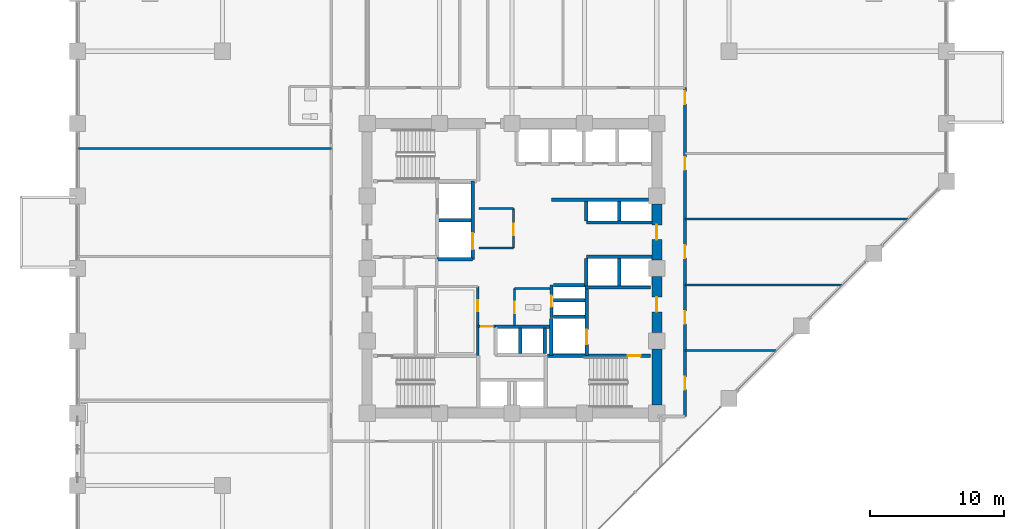
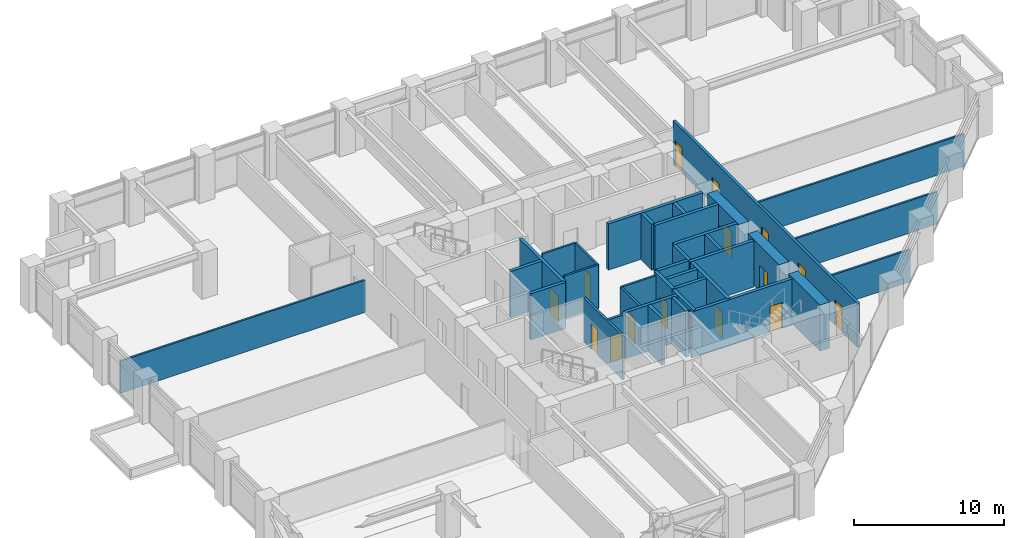
# One storey, part 21 of 26: 36 walls, 15 doors, 15 openings.
"""IFC4 building model written with IfcOpenShell, lengths in metres."""

from ifc_helpers import new_model, si_unit, direction, frame, frame_2d, origin, place, context, subcontext, project, spatial, rectangle, extrude, material, layer, layer_set, type_object, element, fill, save


model = new_model("IFC4")

# Units and contexts
model_context = context("Model", 3, precision=1e-05, world=origin(), true_north=direction((0.0, 1.0)))
body_context = subcontext(model_context, "Body", "Model", "MODEL_VIEW")
ifc_project = project(units=[si_unit("LENGTHUNIT", "METRE"), si_unit("AREAUNIT", "SQUARE_METRE"), si_unit("VOLUMEUNIT", "CUBIC_METRE"), si_unit("PLANEANGLEUNIT", "RADIAN"), si_unit("MASSUNIT", "GRAM", prefix="KILO")], contexts=[model_context])

# Site, building, storey
site_placement = place(None, origin())
site = spatial("IfcSite", under=ifc_project, at=site_placement, CompositionType="ELEMENT")
building_placement = place(site_placement, origin())
building = spatial("IfcBuilding", under=site, at=building_placement, Name="Surkhivell Harbour Commons", CompositionType="ELEMENT")
storey_placement = place(building_placement, frame((0.0, 0.0, 71.25)))
storey = spatial("IfcBuildingStorey", under=building, at=storey_placement, Name="L18", CompositionType="ELEMENT", Elevation=71.25)

# Wall
ifc_material_1 = material(Name="Concrete C60/75", Category="concrete")
ifc_layer_1 = layer(ifc_material_1, 0.75)
ifc_layer_set_1 = layer_set([ifc_layer_1], Name="Concrete C60/75")
wall_type_1 = type_object("IfcWallType", Name="WAL-CORE-750", PredefinedType="SHEAR", material=ifc_layer_set_1)
wall_1_placement = place(storey_placement, frame((10.800048828125, -10.18994140625, 0.0), z_axis=(0.0, 0.0, 1.0), x_axis=(0.0, 1.0, 0.0)))
element("IfcWall", 1, at=wall_1_placement, inside=storey, type_object=wall_type_1, Name="L18 Core Shear Wall East 1", PredefinedType="SHEAR", context=body_context, shape_type="SweptSolid", body=[
    extrude(rectangle(XDim=4.179931640625, YDim=0.75, at=frame_2d((2.08984375, 0.0))), origin(), (0.0, 0.0, 1.0), 3.75),
])

# Wall, opening, door
wall_2_placement = place(storey_placement, frame((10.800048828125, -4.7900390625, 0.0), z_axis=(0.0, 0.0, 1.0), x_axis=(0.0, 1.0, 0.0)))
wall_2 = element("IfcWall", 2, at=wall_2_placement, inside=storey, type_object=wall_type_1, Name="L18 Core Shear Wall East 2", PredefinedType="SHEAR", context=body_context, shape_type="SweptSolid", body=[
    extrude(rectangle(XDim=4.179931640625, YDim=0.75, at=frame_2d((2.08984375, 0.0))), origin(), (0.0, 0.0, 1.0), 3.75),
])
opening_1_placement = place(wall_2_placement, frame((1.5400390625, 0.0, 0.0)))
opening_1 = element("IfcOpeningElement", 3, at=opening_1_placement, cuts=wall_2, Name="Opening ID-1", PredefinedType="OPENING", context=body_context, shape_type="SweptSolid", body=[
    extrude(rectangle(XDim=1.10009765625, YDim=2.10009765625, at=frame_2d((0.550048828125, 1.050048828125))), frame((0.0, 0.385009765625, 0.0), z_axis=(0.0, -1.0, 0.0), x_axis=(1.0, 0.0, 0.0)), (0.0, 0.0, 1.0), 0.77001953125),
])
ifc_material_2 = material(Name="Hardwood-veneered fire-rated door leaf", Category="wood")
door_type_1 = type_object("IfcDoorType", Name="DOR-FD120-1100", OperationType="NOTDEFINED", PredefinedType="DOOR", material=ifc_material_2)
door_1_placement = place(opening_1_placement, origin())
door_1 = element("IfcDoor", 4, at=door_1_placement, inside=storey, type_object=door_type_1, Name="L18 Firefighting Lobby 2 Corridor Door", OperationType="SINGLE_SWING_RIGHT", OverallHeight=2.10009765625, OverallWidth=1.10009765625, PredefinedType="DOOR", context=body_context, shape_type="SweptSolid", body=[
    extrude(rectangle(XDim=1.10009765625, YDim=2.10009765625, at=frame_2d((0.550048828125, 1.050048828125))), frame((0.0, 0.02490234375, 0.0), z_axis=(0.0, -1.0, 0.0), x_axis=(1.0, 0.0, 0.0)), (0.0, 0.0, 1.0), 0.050048828125),
])
fill(opening_1, door_1)

wall_3_placement = place(storey_placement, frame((10.800048828125, 0.610107421875, 0.0), z_axis=(0.0, 0.0, 1.0), x_axis=(0.0, 1.0, 0.0)))
wall_3 = element("IfcWall", 5, at=wall_3_placement, inside=storey, type_object=wall_type_1, Name="L18 Core Shear Wall East 3", PredefinedType="SHEAR", context=body_context, shape_type="SweptSolid", body=[
    extrude(rectangle(XDim=4.179931640625, YDim=0.75, at=frame_2d((2.08984375, 0.0))), origin(), (0.0, 0.0, 1.0), 3.75),
])
opening_2_placement = place(wall_3_placement, frame((1.5400390625, 0.0, 0.0)))
opening_2 = element("IfcOpeningElement", 6, at=opening_2_placement, cuts=wall_3, Name="Opening ID-2", PredefinedType="OPENING", context=body_context, shape_type="SweptSolid", body=[
    extrude(rectangle(XDim=1.10009765625, YDim=2.10009765625, at=frame_2d((0.550048828125, 1.050048828125))), frame((0.0, 0.385009765625, 0.0), z_axis=(0.0, -1.0, 0.0), x_axis=(1.0, 0.0, 0.0)), (0.0, 0.0, 1.0), 0.77001953125),
])
door_type_2 = type_object("IfcDoorType", Name="DOR-FD60-1100", OperationType="NOTDEFINED", PredefinedType="DOOR", material=ifc_material_2)
door_2_placement = place(opening_2_placement, origin())
door_2 = element("IfcDoor", 7, at=door_2_placement, inside=storey, type_object=door_type_2, Name="L18 Mid-Rise Lobby East Door", OperationType="SINGLE_SWING_LEFT", OverallHeight=2.10009765625, OverallWidth=1.10009765625, PredefinedType="DOOR", context=body_context, shape_type="SweptSolid", body=[
    extrude(rectangle(XDim=1.10009765625, YDim=2.10009765625, at=frame_2d((0.550048828125, 1.050048828125))), frame((0.0, 0.02490234375, 0.0), z_axis=(0.0, -1.0, 0.0), x_axis=(1.0, 0.0, 0.0)), (0.0, 0.0, 1.0), 0.050048828125),
])
fill(opening_2, door_2)

# Wall
ifc_material_3 = material(Name="Twin-stud acoustic fireboard partition", Category="other")
ifc_layer_2 = layer(ifc_material_3, 0.14990234375)
ifc_layer_set_2 = layer_set([ifc_layer_2], Name="Twin-stud acoustic fireboard partition")
wall_type_2 = type_object("IfcWallType", Name="WAL-INT-150", PredefinedType="PARTITIONING", material=ifc_layer_set_2)
wall_4_placement = place(storey_placement, frame((0.179931640625, -1.47998046875, 0.0), z_axis=(0.0, 0.0, 1.0), x_axis=(1.0, 0.0, 0.0)))
element("IfcWall", 8, at=wall_4_placement, inside=storey, type_object=wall_type_2, Name="L18 Core Accessible WC North Wall", PredefinedType="PARTITIONING", context=body_context, shape_type="SweptSolid", body=[
    extrude(rectangle(XDim=2.670166015625, YDim=0.14990234375, at=frame_2d((1.3349609375, 0.0))), origin(), (0.0, 0.0, 1.0), 3.570068359375),
])

# Wall, opening, door
wall_5_placement = place(storey_placement, frame((0.179931640625, -4.25, 0.0), z_axis=(0.0, 0.0, 1.0), x_axis=(0.0, 1.0, 0.0)))
wall_5 = element("IfcWall", 9, at=wall_5_placement, inside=storey, type_object=wall_type_2, Name="L18 Core Accessible WC West Wall", PredefinedType="PARTITIONING", context=body_context, shape_type="SweptSolid", body=[
    extrude(rectangle(XDim=2.77001953125, YDim=0.14990234375, at=frame_2d((1.385009765625, 0.0))), origin(), (0.0, 0.0, 1.0), 3.570068359375),
])
opening_3_placement = place(wall_5_placement, frame((0.89990234375, 0.0, 0.0)))
opening_3 = element("IfcOpeningElement", 10, at=opening_3_placement, cuts=wall_5, Name="Opening ID-6", PredefinedType="OPENING", context=body_context, shape_type="SweptSolid", body=[
    extrude(rectangle(XDim=0.85009765625, YDim=2.10009765625, at=frame_2d((0.425048828125, 1.050048828125))), frame((0.0, 0.0849609375, 0.0), z_axis=(0.0, -1.0, 0.0), x_axis=(1.0, 0.0, 0.0)), (0.0, 0.0, 1.0), 0.169921875),
])
door_type_3 = type_object("IfcDoorType", Name="DOR-FD30-850", OperationType="NOTDEFINED", PredefinedType="DOOR", material=ifc_material_2)
door_3_placement = place(opening_3_placement, origin())
door_3 = element("IfcDoor", 11, at=door_3_placement, inside=storey, type_object=door_type_3, Name="L18 Floor Accessible WC Door", OperationType="SINGLE_SWING_LEFT", OverallHeight=2.10009765625, OverallWidth=0.85009765625, PredefinedType="DOOR", context=body_context, shape_type="SweptSolid", body=[
    extrude(rectangle(XDim=0.85009765625, YDim=2.10009765625, at=frame_2d((0.425048828125, 1.050048828125))), frame((0.0, 0.02490234375, 0.0), z_axis=(0.0, -1.0, 0.0), x_axis=(1.0, 0.0, 0.0)), (0.0, 0.0, 1.0), 0.050048828125),
])
fill(opening_3, door_3)

wall_6_placement = place(storey_placement, frame((0.1201171875, 1.52001953125, 0.0), z_axis=(0.0, 0.0, 1.0), x_axis=(0.0, 1.0, 0.0)))
wall_6 = element("IfcWall", 12, at=wall_6_placement, inside=storey, type_object=wall_type_2, Name="L18 Central Reading East Wall", PredefinedType="PARTITIONING", context=body_context, shape_type="SweptSolid", body=[
    extrude(rectangle(XDim=2.9599609375, YDim=0.14990234375, at=frame_2d((1.47998046875, 0.0))), origin(), (0.0, 0.0, 1.0), 3.570068359375),
])
opening_4_placement = place(wall_6_placement, frame((0.949951171875, 0.0, 0.0)))
opening_4 = element("IfcOpeningElement", 13, at=opening_4_placement, cuts=wall_6, Name="Opening ID-6", PredefinedType="OPENING", context=body_context, shape_type="SweptSolid", body=[
    extrude(rectangle(XDim=0.85009765625, YDim=2.10009765625, at=frame_2d((0.425048828125, 1.050048828125))), frame((0.0, 0.0849609375, 0.0), z_axis=(0.0, -1.0, 0.0), x_axis=(1.0, 0.0, 0.0)), (0.0, 0.0, 1.0), 0.169921875),
])
door_4_placement = place(opening_4_placement, origin())
door_4 = element("IfcDoor", 14, at=door_4_placement, inside=storey, type_object=door_type_3, Name="L18 Central Core Reading Door", OperationType="SINGLE_SWING_RIGHT", OverallHeight=2.10009765625, OverallWidth=0.85009765625, PredefinedType="DOOR", context=body_context, shape_type="SweptSolid", body=[
    extrude(rectangle(XDim=0.85009765625, YDim=2.10009765625, at=frame_2d((0.425048828125, 1.050048828125))), frame((0.0, 0.02490234375, 0.0), z_axis=(0.0, -1.0, 0.0), x_axis=(1.0, 0.0, 0.0)), (0.0, 0.0, 1.0), 0.050048828125),
])
fill(opening_4, door_4)

# Walls
for number, where, z_axis, x_axis, name in (
    (15, (-2.47998046875, 4.47998046875, 0.0), (0.0, 0.0, 1.0), (1.0, 0.0, 0.0), "L18 Central Reading North Wall"),
    (16, (-2.47998046875, 1.52001953125, 0.0), (0.0, 0.0, 1.0), (1.0, 0.0, 0.0), "L18 Central Reading South Wall"),
):
    element("IfcWall", number, at=place(storey_placement, frame(where, z_axis=z_axis, x_axis=x_axis)), inside=storey, type_object=wall_type_2, Name=name, PredefinedType="PARTITIONING", context=body_context, shape_type="SweptSolid", body=[
        extrude(rectangle(XDim=2.60009765625, YDim=0.14990234375, at=frame_2d((1.300048828125, 0.0))), origin(), (0.0, 0.0, 1.0), 3.570068359375),
    ])
wall_7_placement = place(storey_placement, frame((12.89990234375, -6.139892578125, 0.0), z_axis=(0.0, 0.0, 1.0), x_axis=(1.0, 0.0, 0.0)))
element("IfcWall", 17, at=wall_7_placement, inside=storey, type_object=wall_type_2, Name="L18 East Partition P1", PredefinedType="PARTITIONING", context=body_context, shape_type="SweptSolid", body=[
    extrude(rectangle(XDim=6.775146484375, YDim=0.14990234375, at=frame_2d((3.3876953125, 0.0))), origin(), (0.0, 0.0, 1.0), 2.623046875),
])
wall_8_placement = place(storey_placement, frame((12.89990234375, -1.22998046875, 0.0), z_axis=(0.0, 0.0, 1.0), x_axis=(1.0, 0.0, 0.0)))
element("IfcWall", 18, at=wall_8_placement, inside=storey, type_object=wall_type_2, Name="L18 East Partition P2", PredefinedType="PARTITIONING", context=body_context, shape_type="SweptSolid", body=[
    extrude(rectangle(XDim=11.685302734375, YDim=0.14990234375, at=frame_2d((5.8427734375, 0.0))), origin(), (0.0, 0.0, 1.0), 2.623046875),
])
wall_9_placement = place(storey_placement, frame((12.89990234375, 3.669921875, 0.0), z_axis=(0.0, 0.0, 1.0), x_axis=(1.0, 0.0, 0.0)))
element("IfcWall", 19, at=wall_9_placement, inside=storey, type_object=wall_type_2, Name="L18 East Partition P3", PredefinedType="PARTITIONING", context=body_context, shape_type="SweptSolid", body=[
    extrude(rectangle(XDim=16.585205078125, YDim=0.14990234375, at=frame_2d((8.29248046875, 0.0))), origin(), (0.0, 0.0, 1.0), 2.623046875),
])
wall_10_placement = place(storey_placement, frame((-32.340087890625, 8.929931640625, 0.0), z_axis=(0.0, 0.0, 1.0), x_axis=(1.0, 0.0, 0.0)))
element("IfcWall", 20, at=wall_10_placement, inside=storey, type_object=wall_type_2, Name="L18 West Partition PTOP", PredefinedType="PARTITIONING", context=body_context, shape_type="SweptSolid", body=[
    extrude(rectangle(XDim=18.860107421875, YDim=0.14990234375, at=frame_2d((9.43017578125, 0.0))), origin(), (0.0, 0.0, 1.0), 2.623046875),
])

# Wall, opening, door
ifc_material_4 = material(Name="High-density acoustic blockwork fire partition", Category="masonry")
ifc_layer_3 = layer(ifc_material_4, 0.175048828125)
ifc_layer_set_3 = layer_set([ifc_layer_3], Name="High-density acoustic blockwork fire partition")
wall_type_3 = type_object("IfcWallType", Name="WAL-INT-175", PredefinedType="PARTITIONING", material=ifc_layer_set_3)
wall_11_placement = place(storey_placement, frame((-2.550048828125, -6.510009765625, 0.0), z_axis=(0.0, 0.0, 1.0), x_axis=(0.0, 1.0, 0.0)))
wall_11 = element("IfcWall", 21, at=wall_11_placement, inside=storey, type_object=wall_type_3, Name="L18 Core Service Bay East Wall", PredefinedType="PARTITIONING", context=body_context, shape_type="SweptSolid", body=[
    extrude(rectangle(XDim=5.159912109375, YDim=0.175048828125, at=frame_2d((2.580078125, 0.0))), origin(), (0.0, 0.0, 1.0), 3.570068359375),
])
opening_5_placement = place(wall_11_placement, frame((3.300048828125, 0.0, 0.0)))
opening_5 = element("IfcOpeningElement", 22, at=opening_5_placement, cuts=wall_11, Name="Opening ID-6", PredefinedType="OPENING", context=body_context, shape_type="SweptSolid", body=[
    extrude(rectangle(XDim=0.85009765625, YDim=2.10009765625, at=frame_2d((0.425048828125, 1.050048828125))), frame((0.0, 0.097412109375, 0.0), z_axis=(0.0, -1.0, 0.0), x_axis=(1.0, 0.0, 0.0)), (0.0, 0.0, 1.0), 0.195068359375),
])
door_5_placement = place(opening_5_placement, origin())
door_5 = element("IfcDoor", 23, at=door_5_placement, inside=storey, type_object=door_type_3, Name="L18 Core Music Door", OperationType="SINGLE_SWING_LEFT", OverallHeight=2.10009765625, OverallWidth=0.85009765625, PredefinedType="DOOR", context=body_context, shape_type="SweptSolid", body=[
    extrude(rectangle(XDim=0.85009765625, YDim=2.10009765625, at=frame_2d((0.425048828125, 1.050048828125))), frame((0.0, 0.02490234375, 0.0), z_axis=(0.0, -1.0, 0.0), x_axis=(1.0, 0.0, 0.0)), (0.0, 0.0, 1.0), 0.050048828125),
])
fill(opening_5, door_5)

wall_12_placement = place(storey_placement, frame((-2.52001953125, -4.320068359375, 0.0), z_axis=(0.0, 0.0, 1.0), x_axis=(1.0, 0.0, 0.0)))
wall_12 = element("IfcWall", 24, at=wall_12_placement, inside=storey, type_object=wall_type_3, Name="L18 High-Rise Lobby North Portal Wall", PredefinedType="PARTITIONING", context=body_context, shape_type="SweptSolid", body=[
    extrude(rectangle(XDim=1.300048828125, YDim=0.175048828125, at=frame_2d((0.64990234375, 0.0))), origin(), (0.0, 0.0, 1.0), 3.570068359375),
])
opening_6_placement = place(wall_12_placement, frame((0.219970703125, 0.0, 0.0)))
opening_6 = element("IfcOpeningElement", 25, at=opening_6_placement, cuts=wall_12, Name="Opening ID-6", PredefinedType="OPENING", context=body_context, shape_type="SweptSolid", body=[
    extrude(rectangle(XDim=0.85009765625, YDim=2.10009765625, at=frame_2d((0.425048828125, 1.050048828125))), frame((0.0, 0.097412109375, 0.0), z_axis=(0.0, -1.0, 0.0), x_axis=(1.0, 0.0, 0.0)), (0.0, 0.0, 1.0), 0.195068359375),
])
door_6_placement = place(opening_6_placement, origin())
door_6 = element("IfcDoor", 26, at=door_6_placement, inside=storey, type_object=door_type_3, Name="L18 High-Rise Lift Lobby North Door", OperationType="SINGLE_SWING_LEFT", OverallHeight=2.10009765625, OverallWidth=0.85009765625, PredefinedType="DOOR", context=body_context, shape_type="SweptSolid", body=[
    extrude(rectangle(XDim=0.85009765625, YDim=2.10009765625, at=frame_2d((0.425048828125, 1.050048828125))), frame((0.0, 0.02490234375, 0.0), z_axis=(0.0, -1.0, 0.0), x_axis=(1.0, 0.0, 0.0)), (0.0, 0.0, 1.0), 0.050048828125),
])
fill(opening_6, door_6)

# Wall, openings, doors
ifc_material_5 = material(Name="Autoclaved aerated concrete blockwork and fire plaster", Category="masonry")
ifc_layer_4 = layer(ifc_material_5, 0.199951171875)
ifc_layer_set_4 = layer_set([ifc_layer_4], Name="Autoclaved aerated concrete blockwork and fire plaster")
wall_type_4 = type_object("IfcWallType", Name="WAL-INT-200", PredefinedType="PARTITIONING", material=ifc_layer_set_4)
wall_13_placement = place(storey_placement, frame((12.89990234375, -11.0400390625, 0.0), z_axis=(0.0, 0.0, 1.0), x_axis=(0.0, 1.0, 0.0)))
wall_13 = element("IfcWall", 27, at=wall_13_placement, inside=storey, type_object=wall_type_4, Name="L18 Corridor East Wall", PredefinedType="PARTITIONING", context=body_context, shape_type="SweptSolid", body=[
    extrude(rectangle(XDim=24.52001953125, YDim=0.199951171875, at=frame_2d((12.260009765625, 0.0))), origin(), (0.0, 0.0, 1.0), 3.570068359375),
])
opening_7_placement = place(wall_13_placement, frame((2.0, 0.0, 0.0)))
opening_7 = element("IfcOpeningElement", 28, at=opening_7_placement, cuts=wall_13, Name="Opening ID-4", PredefinedType="OPENING", context=body_context, shape_type="SweptSolid", body=[
    extrude(rectangle(XDim=0.949951171875, YDim=2.10009765625, at=frame_2d((0.47509765625, 1.050048828125))), frame((0.0, 0.10986328125, 0.0), z_axis=(0.0, -1.0, 0.0), x_axis=(1.0, 0.0, 0.0)), (0.0, 0.0, 1.0), 0.219970703125),
])
opening_8_placement = place(wall_13_placement, frame((6.905029296875, 0.0, 0.0)))
opening_8 = element("IfcOpeningElement", 29, at=opening_8_placement, cuts=wall_13, Name="Opening ID-4", PredefinedType="OPENING", context=body_context, shape_type="SweptSolid", body=[
    extrude(rectangle(XDim=0.949951171875, YDim=2.10009765625, at=frame_2d((0.47509765625, 1.050048828125))), frame((0.0, 0.10986328125, 0.0), z_axis=(0.0, -1.0, 0.0), x_axis=(1.0, 0.0, 0.0)), (0.0, 0.0, 1.0), 0.219970703125),
])
opening_9_placement = place(wall_13_placement, frame((11.81005859375, 0.0, 0.0)))
opening_9 = element("IfcOpeningElement", 30, at=opening_9_placement, cuts=wall_13, Name="Opening ID-4", PredefinedType="OPENING", context=body_context, shape_type="SweptSolid", body=[
    extrude(rectangle(XDim=0.949951171875, YDim=2.10009765625, at=frame_2d((0.47509765625, 1.050048828125))), frame((0.0, 0.10986328125, 0.0), z_axis=(0.0, -1.0, 0.0), x_axis=(1.0, 0.0, 0.0)), (0.0, 0.0, 1.0), 0.219970703125),
])
opening_10_placement = place(wall_13_placement, frame((18.389892578125, 0.0, 0.0)))
opening_10 = element("IfcOpeningElement", 31, at=opening_10_placement, cuts=wall_13, Name="Opening ID-4", PredefinedType="OPENING", context=body_context, shape_type="SweptSolid", body=[
    extrude(rectangle(XDim=0.949951171875, YDim=2.10009765625, at=frame_2d((0.47509765625, 1.050048828125))), frame((0.0, 0.10986328125, 0.0), z_axis=(0.0, -1.0, 0.0), x_axis=(1.0, 0.0, 0.0)), (0.0, 0.0, 1.0), 0.219970703125),
])
opening_11_placement = place(wall_13_placement, frame((23.2900390625, 0.0, 0.0)))
opening_11 = element("IfcOpeningElement", 32, at=opening_11_placement, cuts=wall_13, Name="Opening ID-4", PredefinedType="OPENING", context=body_context, shape_type="SweptSolid", body=[
    extrude(rectangle(XDim=0.949951171875, YDim=2.10009765625, at=frame_2d((0.47509765625, 1.050048828125))), frame((0.0, 0.10986328125, 0.0), z_axis=(0.0, -1.0, 0.0), x_axis=(1.0, 0.0, 0.0)), (0.0, 0.0, 1.0), 0.219970703125),
])
door_type_4 = type_object("IfcDoorType", Name="DOR-FD60-950", OperationType="NOTDEFINED", PredefinedType="DOOR", material=ifc_material_2)
door_7_placement = place(opening_7_placement, origin())
door_7 = element("IfcDoor", 33, at=door_7_placement, inside=storey, type_object=door_type_4, Name="L18 Co-Working Study Office Pod 1 East Door", OperationType="SINGLE_SWING_RIGHT", OverallHeight=2.10009765625, OverallWidth=0.949951171875, PredefinedType="DOOR", context=body_context, shape_type="SweptSolid", body=[
    extrude(rectangle(XDim=0.949951171875, YDim=2.10009765625, at=frame_2d((0.47509765625, 1.050048828125))), frame((0.0, 0.02490234375, 0.0), z_axis=(0.0, -1.0, 0.0), x_axis=(1.0, 0.0, 0.0)), (0.0, 0.0, 1.0), 0.050048828125),
])
fill(opening_7, door_7)
door_8_placement = place(opening_8_placement, origin())
door_8 = element("IfcDoor", 34, at=door_8_placement, inside=storey, type_object=door_type_4, Name="L18 Academic Seminar Pod 2 East Door", OperationType="SINGLE_SWING_LEFT", OverallHeight=2.10009765625, OverallWidth=0.949951171875, PredefinedType="DOOR", context=body_context, shape_type="SweptSolid", body=[
    extrude(rectangle(XDim=0.949951171875, YDim=2.10009765625, at=frame_2d((0.47509765625, 1.050048828125))), frame((0.0, 0.02490234375, 0.0), z_axis=(0.0, -1.0, 0.0), x_axis=(1.0, 0.0, 0.0)), (0.0, 0.0, 1.0), 0.050048828125),
])
fill(opening_8, door_8)
door_9_placement = place(opening_9_placement, origin())
door_9 = element("IfcDoor", 35, at=door_9_placement, inside=storey, type_object=door_type_4, Name="L18 Harbour Espresso Cafe Shop 3 East Door", OperationType="SINGLE_SWING_RIGHT", OverallHeight=2.10009765625, OverallWidth=0.949951171875, PredefinedType="DOOR", context=body_context, shape_type="SweptSolid", body=[
    extrude(rectangle(XDim=0.949951171875, YDim=2.10009765625, at=frame_2d((0.47509765625, 1.050048828125))), frame((0.0, 0.02490234375, 0.0), z_axis=(0.0, -1.0, 0.0), x_axis=(1.0, 0.0, 0.0)), (0.0, 0.0, 1.0), 0.050048828125),
])
fill(opening_9, door_9)
door_10_placement = place(opening_10_placement, origin())
door_10 = element("IfcDoor", 36, at=door_10_placement, inside=storey, type_object=door_type_4, Name="L18 Zone Concierge Reception Foyer 4 East Door", OperationType="SINGLE_SWING_LEFT", OverallHeight=2.10009765625, OverallWidth=0.949951171875, PredefinedType="DOOR", context=body_context, shape_type="SweptSolid", body=[
    extrude(rectangle(XDim=0.949951171875, YDim=2.10009765625, at=frame_2d((0.47509765625, 1.050048828125))), frame((0.0, 0.02490234375, 0.0), z_axis=(0.0, -1.0, 0.0), x_axis=(1.0, 0.0, 0.0)), (0.0, 0.0, 1.0), 0.050048828125),
])
fill(opening_10, door_10)
door_11_placement = place(opening_11_placement, origin())
door_11 = element("IfcDoor", 37, at=door_11_placement, inside=storey, type_object=door_type_4, Name="L18 Shared Communal Kitchen 5 East Door", OperationType="SINGLE_SWING_RIGHT", OverallHeight=2.10009765625, OverallWidth=0.949951171875, PredefinedType="DOOR", context=body_context, shape_type="SweptSolid", body=[
    extrude(rectangle(XDim=0.949951171875, YDim=2.10009765625, at=frame_2d((0.47509765625, 1.050048828125))), frame((0.0, 0.02490234375, 0.0), z_axis=(0.0, -1.0, 0.0), x_axis=(1.0, 0.0, 0.0)), (0.0, 0.0, 1.0), 0.050048828125),
])
fill(opening_11, door_11)

# Walls
ifc_material_6 = material(Name="Concrete C50/60", Category="concrete")
ifc_layer_5 = layer(ifc_material_6, 0.25)
ifc_layer_set_5 = layer_set([ifc_layer_5], Name="Concrete C50/60")
wall_type_5 = type_object("IfcWallType", Name="WAL-SHAFT-250", PredefinedType="SHEAR", material=ifc_layer_set_5)
wall_14_placement = place(storey_placement, frame((2.929931640625, -6.510009765625, 0.0), z_axis=(0.0, 0.0, 1.0), x_axis=(0.0, 1.0, 0.0)))
element("IfcWall", 38, at=wall_14_placement, inside=storey, type_object=wall_type_5, Name="L18 FFL2 West Shaft Wall", PredefinedType="SHEAR", context=body_context, shape_type="SweptSolid", body=[
    extrude(rectangle(XDim=2.7900390625, YDim=0.25, at=frame_2d((1.39501953125, 0.0))), origin(), (0.0, 0.0, 1.0), 3.75),
])
wall_15_placement = place(storey_placement, frame((5.43994140625, -1.419921875, 0.0), z_axis=(0.0, 0.0, 1.0), x_axis=(1.0, 0.0, 0.0)))
element("IfcWall", 39, at=wall_15_placement, inside=storey, type_object=wall_type_5, Name="L18 Firefighting Lobby 2 North Wall", PredefinedType="SHEAR", context=body_context, shape_type="SweptSolid", body=[
    extrude(rectangle(XDim=4.900146484375, YDim=0.25, at=frame_2d((2.4501953125, 0.0))), origin(), (0.0, 0.0, 1.0), 3.75),
])
wall_16_placement = place(storey_placement, frame((3.080078125, -3.60009765625, 0.0), z_axis=(0.0, 0.0, 1.0), x_axis=(1.0, 0.0, 0.0)))
element("IfcWall", 40, at=wall_16_placement, inside=storey, type_object=wall_type_5, Name="L18 FFL2 North Shaft Wall", PredefinedType="SHEAR", context=body_context, shape_type="SweptSolid", body=[
    extrude(rectangle(XDim=2.369873046875, YDim=0.25, at=frame_2d((1.18505859375, 0.0))), origin(), (0.0, 0.0, 1.0), 3.75),
])

# Wall, opening, door
wall_17_placement = place(storey_placement, frame((5.580078125, -6.510009765625, 0.0), z_axis=(0.0, 0.0, 1.0), x_axis=(0.0, 1.0, 0.0)))
wall_17 = element("IfcWall", 41, at=wall_17_placement, inside=storey, type_object=wall_type_5, Name="L18 Firefighting Lobby 2 West Shaft Wall", PredefinedType="SHEAR", context=body_context, shape_type="SweptSolid", body=[
    extrude(rectangle(XDim=5.090087890625, YDim=0.25, at=frame_2d((2.544921875, 0.0))), origin(), (0.0, 0.0, 1.0), 3.75),
])
opening_12_placement = place(wall_17_placement, frame((0.85009765625, 0.0, 0.0)))
opening_12 = element("IfcOpeningElement", 42, at=opening_12_placement, cuts=wall_17, Name="Opening LD-1", PredefinedType="OPENING", context=body_context, shape_type="SweptSolid", body=[
    extrude(rectangle(XDim=1.10009765625, YDim=2.10009765625, at=frame_2d((0.550048828125, 1.050048828125))), frame((0.0, 0.135009765625, 0.0), z_axis=(0.0, -1.0, 0.0), x_axis=(1.0, 0.0, 0.0)), (0.0, 0.0, 1.0), 0.27001953125),
])
ifc_material_7 = material(Name="Brushed stainless steel S355", Category="steel")
door_type_5 = type_object("IfcDoorType", Name="DOR-LD-1100", OperationType="SLIDING_TO_LEFT", PredefinedType="DOOR", material=ifc_material_7)
door_12_placement = place(opening_12_placement, origin())
door_12 = element("IfcDoor", 43, at=door_12_placement, inside=storey, type_object=door_type_5, Name="L18 Lift Landing Door LD-FFL2", OperationType="SLIDING_TO_RIGHT", OverallHeight=2.10009765625, OverallWidth=1.10009765625, PredefinedType="DOOR", context=body_context, shape_type="SweptSolid", body=[
    extrude(rectangle(XDim=1.10009765625, YDim=2.10009765625, at=frame_2d((0.550048828125, 1.050048828125))), frame((0.0, 0.02490234375, 0.0), z_axis=(0.0, -1.0, 0.0), x_axis=(1.0, 0.0, 0.0)), (0.0, 0.0, 1.0), 0.050048828125),
])
fill(opening_12, door_12)

# Walls
for number, where, z_axis, x_axis, name in (
    (44, (0.6201171875, -6.340087890625, 0.0), (0.0, 0.0, 1.0), (0.0, 1.0, 0.0), "L18 High-Rise Side Wall N"),
    (45, (2.449951171875, -6.340087890625, 0.0), (0.0, 0.0, 1.0), (0.0, 1.0, 0.0), "L18 High-Rise Side Wall N"),
):
    element("IfcWall", number, at=place(storey_placement, frame(where, z_axis=z_axis, x_axis=x_axis)), inside=storey, type_object=wall_type_5, Name=name, PredefinedType="SHEAR", context=body_context, shape_type="SweptSolid", body=[
        extrude(rectangle(XDim=1.880126953125, YDim=0.25, at=frame_2d((0.93994140625, 0.0))), origin(), (0.0, 0.0, 1.0), 3.75),
    ])
wall_18_placement = place(storey_placement, frame((-1.219970703125, -4.360107421875, 0.0), z_axis=(0.0, 0.0, 1.0), x_axis=(1.0, 0.0, 0.0)))
element("IfcWall", 46, at=wall_18_placement, inside=storey, type_object=wall_type_5, Name="L18 High-Rise North Back Shaft Wall", PredefinedType="SHEAR", context=body_context, shape_type="SweptSolid", body=[
    extrude(rectangle(XDim=4.030029296875, YDim=0.25, at=frame_2d((2.01513671875, 0.0))), origin(), (0.0, 0.0, 1.0), 3.75),
])
wall_19_placement = place(storey_placement, frame((2.949951171875, 5.1201171875, 0.0), z_axis=(0.0, 0.0, 1.0), x_axis=(1.0, 0.0, 0.0)))
element("IfcWall", 47, at=wall_19_placement, inside=storey, type_object=wall_type_5, Name="L18 Low-Rise Lobby South Wall", PredefinedType="SHEAR", context=body_context, shape_type="SweptSolid", body=[
    extrude(rectangle(XDim=7.25, YDim=0.25, at=frame_2d((3.625, 0.0))), origin(), (0.0, 0.0, 1.0), 3.75),
])
for number, where, z_axis, x_axis, name in (
    (48, (5.550048828125, 3.550048828125, 0.0), (0.0, 0.0, 1.0), (0.0, 1.0, 0.0), "L18 Mid-Rise Shaft Side Wall N"),
    (49, (8.0, 3.550048828125, 0.0), (0.0, 0.0, 1.0), (0.0, 1.0, 0.0), "L18 Mid-Rise Shaft Side Wall N"),
):
    element("IfcWall", number, at=place(storey_placement, frame(where, z_axis=z_axis, x_axis=x_axis)), inside=storey, type_object=wall_type_5, Name=name, PredefinedType="SHEAR", context=body_context, shape_type="SweptSolid", body=[
        extrude(rectangle(XDim=1.449951171875, YDim=0.25, at=frame_2d((0.72509765625, 0.0))), origin(), (0.0, 0.0, 1.0), 3.75),
    ])
for number, where, z_axis, x_axis, name in (
    (50, (5.550048828125, -1.300048828125, 0.0), (0.0, 0.0, 1.0), (0.0, 1.0, 0.0), "L18 Mid-Rise Shaft Side Wall S"),
    (51, (8.0, -1.300048828125, 0.0), (0.0, 0.0, 1.0), (0.0, 1.0, 0.0), "L18 Mid-Rise Shaft Side Wall S"),
):
    element("IfcWall", number, at=place(storey_placement, frame(where, z_axis=z_axis, x_axis=x_axis)), inside=storey, type_object=wall_type_5, Name=name, PredefinedType="SHEAR", context=body_context, shape_type="SweptSolid", body=[
        extrude(rectangle(XDim=2.0400390625, YDim=0.25, at=frame_2d((1.02001953125, 0.0))), origin(), (0.0, 0.0, 1.0), 3.75),
    ])
for number, where, z_axis, x_axis, name in (
    (52, (5.550048828125, 3.429931640625, 0.0), (0.0, 0.0, 1.0), (1.0, 0.0, 0.0), "L18 Mid-Rise North Front Shaft Wall"),
    (53, (5.550048828125, 0.8701171875, 0.0), (0.0, 0.0, 1.0), (1.0, 0.0, 0.0), "L18 Mid-Rise South Front Shaft Wall"),
):
    element("IfcWall", number, at=place(storey_placement, frame(where, z_axis=z_axis, x_axis=x_axis)), inside=storey, type_object=wall_type_5, Name=name, PredefinedType="SHEAR", context=body_context, shape_type="SweptSolid", body=[
        extrude(rectangle(XDim=4.875, YDim=0.25, at=frame_2d((2.4375, 0.0))), origin(), (0.0, 0.0, 1.0), 3.75),
    ])
for number, where, z_axis, x_axis, name in (
    (54, (3.080078125, -2.3798828125, 0.0), (0.0, 0.0, 1.0), (1.0, 0.0, 0.0), "L18 Riser Divider Wall"),
    (55, (3.080078125, -1.25, 0.0), (0.0, 0.0, 1.0), (1.0, 0.0, 0.0), "L18 Riser North Wall"),
):
    element("IfcWall", number, at=place(storey_placement, frame(where, z_axis=z_axis, x_axis=x_axis)), inside=storey, type_object=wall_type_5, Name=name, PredefinedType="SHEAR", context=body_context, shape_type="SweptSolid", body=[
        extrude(rectangle(XDim=2.369873046875, YDim=0.25, at=frame_2d((1.18505859375, 0.0))), origin(), (0.0, 0.0, 1.0), 3.75),
    ])

# Wall, opening, door
wall_20_placement = place(storey_placement, frame((2.949951171875, -3.64990234375, 0.0), z_axis=(0.0, 0.0, 1.0), x_axis=(0.0, 1.0, 0.0)))
wall_20 = element("IfcWall", 56, at=wall_20_placement, inside=storey, type_object=wall_type_5, Name="L18 Riser Shaft West Wall", PredefinedType="SHEAR", context=body_context, shape_type="SweptSolid", body=[
    extrude(rectangle(XDim=2.39990234375, YDim=0.25, at=frame_2d((1.199951171875, 0.0))), origin(), (0.0, 0.0, 1.0), 3.75),
])
opening_13_placement = place(wall_20_placement, frame((0.77490234375, 0.0, 0.0)))
opening_13 = element("IfcOpeningElement", 57, at=opening_13_placement, cuts=wall_20, Name="Opening ID-6", PredefinedType="OPENING", context=body_context, shape_type="SweptSolid", body=[
    extrude(rectangle(XDim=0.85009765625, YDim=2.10009765625, at=frame_2d((0.425048828125, 1.050048828125))), frame((0.0, 0.135009765625, 0.0), z_axis=(0.0, -1.0, 0.0), x_axis=(1.0, 0.0, 0.0)), (0.0, 0.0, 1.0), 0.27001953125),
])
door_13_placement = place(opening_13_placement, origin())
door_13 = element("IfcDoor", 58, at=door_13_placement, inside=storey, type_object=door_type_3, Name="L18 Electrical Riser Access Door", OperationType="SINGLE_SWING_LEFT", OverallHeight=2.10009765625, OverallWidth=0.85009765625, PredefinedType="DOOR", context=body_context, shape_type="SweptSolid", body=[
    extrude(rectangle(XDim=0.85009765625, YDim=2.10009765625, at=frame_2d((0.425048828125, 1.050048828125))), frame((0.0, 0.02490234375, 0.0), z_axis=(0.0, -1.0, 0.0), x_axis=(1.0, 0.0, 0.0)), (0.0, 0.0, 1.0), 0.050048828125),
])
fill(opening_13, door_13)

wall_21_placement = place(storey_placement, frame((2.639892578125, -6.510009765625, 0.0), z_axis=(0.0, 0.0, 1.0), x_axis=(1.0, 0.0, 0.0)))
wall_21 = element("IfcWall", 59, at=wall_21_placement, inside=storey, type_object=wall_type_5, Name="L18 Stair ST2 North Shear Wall", PredefinedType="SHEAR", context=body_context, shape_type="SweptSolid", body=[
    extrude(rectangle(XDim=7.7001953125, YDim=0.25, at=frame_2d((3.85009765625, 0.0))), origin(), (0.0, 0.0, 1.0), 3.75),
])
opening_14_placement = place(wall_21_placement, frame((6.0, 0.0, 0.0)))
opening_14 = element("IfcOpeningElement", 60, at=opening_14_placement, cuts=wall_21, Name="Opening ID-4", PredefinedType="OPENING", context=body_context, shape_type="SweptSolid", body=[
    extrude(rectangle(XDim=0.949951171875, YDim=2.10009765625, at=frame_2d((0.47509765625, 1.050048828125))), frame((0.0, 0.135009765625, 0.0), z_axis=(0.0, -1.0, 0.0), x_axis=(1.0, 0.0, 0.0)), (0.0, 0.0, 1.0), 0.27001953125),
])
door_14_placement = place(opening_14_placement, origin())
door_14 = element("IfcDoor", 61, at=door_14_placement, inside=storey, type_object=door_type_4, Name="L18 Stair ST2 Exit Door", OperationType="SINGLE_SWING_RIGHT", OverallHeight=2.10009765625, OverallWidth=0.949951171875, PredefinedType="DOOR", context=body_context, shape_type="SweptSolid", body=[
    extrude(rectangle(XDim=0.949951171875, YDim=2.10009765625, at=frame_2d((0.47509765625, 1.050048828125))), frame((0.0, 0.02490234375, 0.0), z_axis=(0.0, -1.0, 0.0), x_axis=(1.0, 0.0, 0.0)), (0.0, 0.0, 1.0), 0.050048828125),
])
fill(opening_14, door_14)

wall_22_placement = place(storey_placement, frame((-2.929931640625, 0.679931640625, 0.0), z_axis=(0.0, 0.0, 1.0), x_axis=(0.0, 1.0, 0.0)))
wall_22 = element("IfcWall", 62, at=wall_22_placement, inside=storey, type_object=wall_type_5, Name="L18 Service and Fire Lift East Shaft Wall", PredefinedType="SHEAR", context=body_context, shape_type="SweptSolid", body=[
    extrude(rectangle(XDim=5.830078125, YDim=0.25, at=frame_2d((2.9150390625, 0.0))), origin(), (0.0, 0.0, 1.0), 3.75),
])
opening_15_placement = place(wall_22_placement, frame((0.75, 0.0, 0.0)))
opening_15 = element("IfcOpeningElement", 63, at=opening_15_placement, cuts=wall_22, Name="Opening LD-2", PredefinedType="OPENING", context=body_context, shape_type="SweptSolid", body=[
    extrude(rectangle(XDim=1.199951171875, YDim=2.10009765625, at=frame_2d((0.60009765625, 1.050048828125))), frame((0.0, 0.135009765625, 0.0), z_axis=(0.0, -1.0, 0.0), x_axis=(1.0, 0.0, 0.0)), (0.0, 0.0, 1.0), 0.27001953125),
])
door_type_6 = type_object("IfcDoorType", Name="DOR-LD-1200", OperationType="SLIDING_TO_LEFT", PredefinedType="DOOR", material=ifc_material_7)
door_15_placement = place(opening_15_placement, origin())
door_15 = element("IfcDoor", 64, at=door_15_placement, inside=storey, type_object=door_type_6, Name="L18 Lift Landing Door LD-SVL1", OperationType="SLIDING_TO_LEFT", OverallHeight=2.10009765625, OverallWidth=1.199951171875, PredefinedType="DOOR", context=body_context, shape_type="SweptSolid", body=[
    extrude(rectangle(XDim=1.199951171875, YDim=2.10009765625, at=frame_2d((0.60009765625, 1.050048828125))), frame((0.0, 0.02490234375, 0.0), z_axis=(0.0, -1.0, 0.0), x_axis=(1.0, 0.0, 0.0)), (0.0, 0.0, 1.0), 0.050048828125),
])
fill(opening_15, door_15)

# Walls
wall_23_placement = place(storey_placement, frame((-5.449951171875, 3.60009765625, 0.0), z_axis=(0.0, 0.0, 1.0), x_axis=(1.0, 0.0, 0.0)))
element("IfcWall", 65, at=wall_23_placement, inside=storey, type_object=wall_type_5, Name="L18 FFL1/SVL1 Shaft Divider", PredefinedType="SHEAR", context=body_context, shape_type="SweptSolid", body=[
    extrude(rectangle(XDim=2.389892578125, YDim=0.25, at=frame_2d((1.19482421875, 0.0))), origin(), (0.0, 0.0, 1.0), 3.75),
])
wall_24_placement = place(storey_placement, frame((-5.580078125, 0.679931640625, 0.0), z_axis=(0.0, 0.0, 1.0), x_axis=(1.0, 0.0, 0.0)))
element("IfcWall", 66, at=wall_24_placement, inside=storey, type_object=wall_type_5, Name="L18 SVL1 South Shaft Wall", PredefinedType="SHEAR", context=body_context, shape_type="SweptSolid", body=[
    extrude(rectangle(XDim=2.650146484375, YDim=0.25, at=frame_2d((1.3251953125, 0.0))), origin(), (0.0, 0.0, 1.0), 3.75),
])

save(model, "model.ifc")
